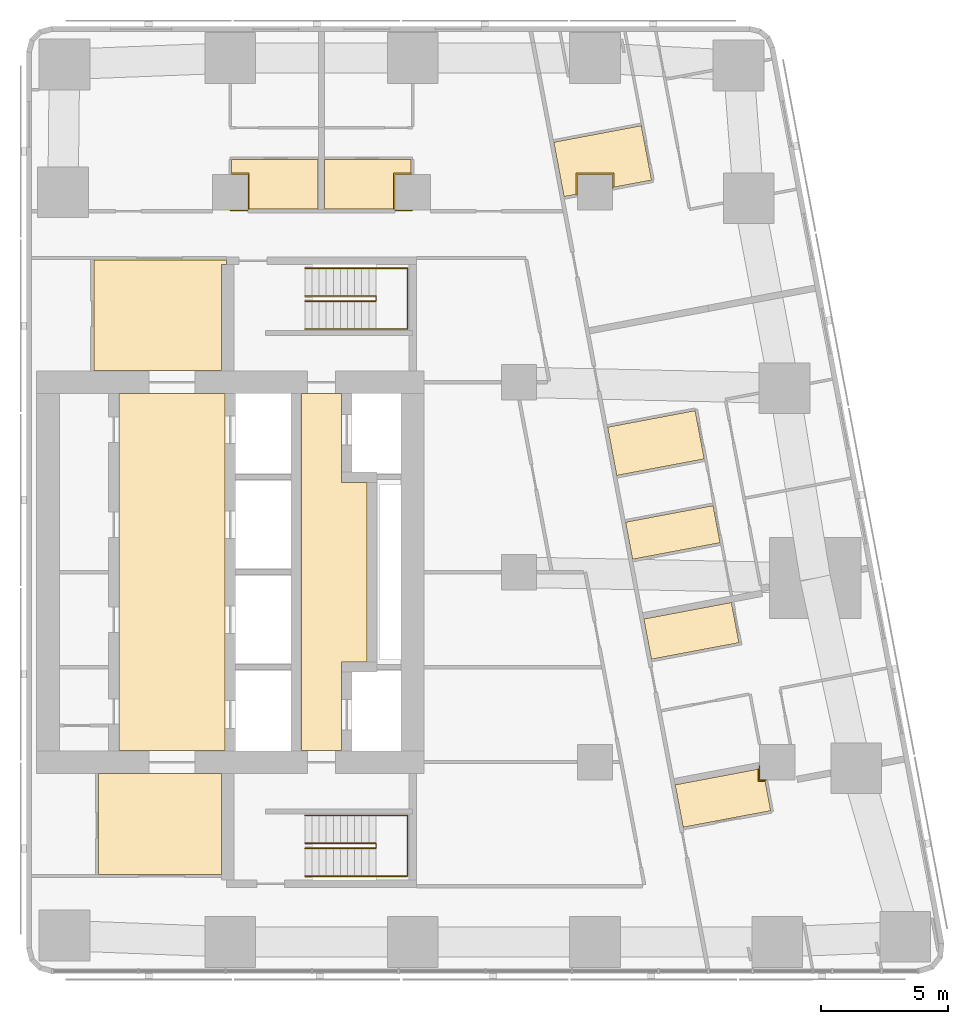
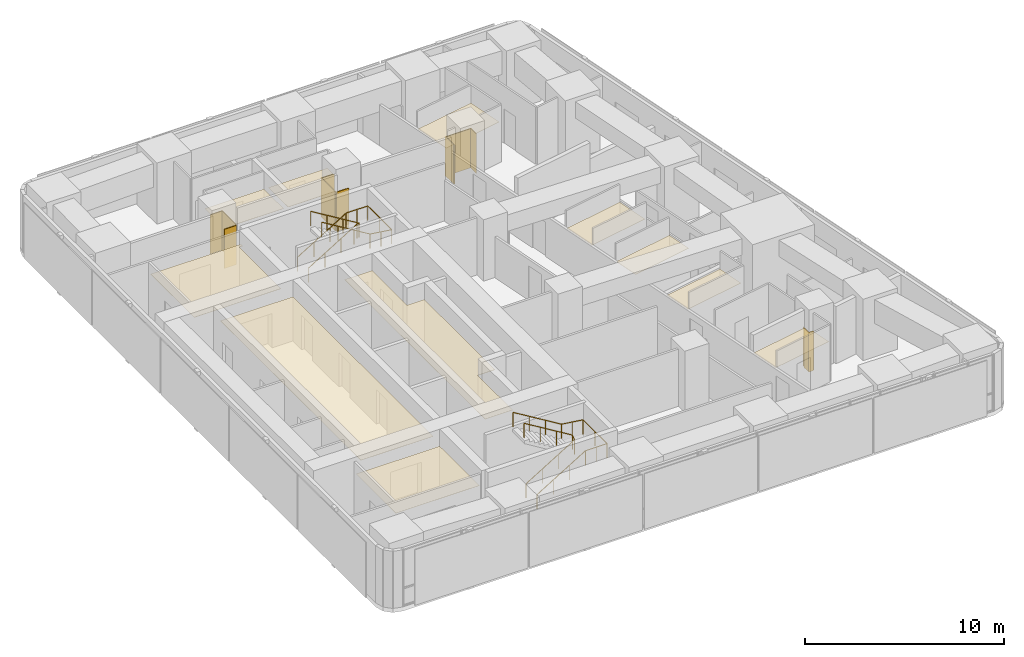
# One storey, part 11 of 11: 15 coverings, 4 railings.
"""IFC4 building model written with IfcOpenShell, lengths in metres."""

from ifc_helpers import new_model, si_unit, direction, frame, origin, origin_2d, place, context, subcontext, project, spatial, polyline, circle, outline, extrude, material, layer, layer_set, type_object, element, save


model = new_model("IFC4")

# Units and contexts
model_context = context("Model", 3, precision=1e-05, world=origin(), true_north=direction((0.0, 1.0)))
body_context = subcontext(model_context, "Body", "Model", "MODEL_VIEW")
ifc_project = project(units=[si_unit("LENGTHUNIT", "METRE"), si_unit("AREAUNIT", "SQUARE_METRE"), si_unit("VOLUMEUNIT", "CUBIC_METRE"), si_unit("PLANEANGLEUNIT", "RADIAN"), si_unit("MASSUNIT", "GRAM", prefix="KILO")], contexts=[model_context])

# Site, building, storey
site_placement = place(None, origin())
site = spatial("IfcSite", under=ifc_project, at=site_placement, CompositionType="ELEMENT")
building_placement = place(site_placement, origin())
building = spatial("IfcBuilding", under=site, at=building_placement, Name="Sheger Commons Tower", CompositionType="ELEMENT")
storey_placement = place(building_placement, frame((0.0, 0.0, 259.10009765625)))
storey = spatial("IfcBuildingStorey", under=building, at=storey_placement, Name="L66", CompositionType="ELEMENT", Elevation=259.10009765625)

# Railings
ifc_material_1 = material(Name="Steel handrail, black powder-coated", Category="steel")
railing_type = type_object("IfcRailingType", Name="HANDRAIL 900", PredefinedType="HANDRAIL", material=ifc_material_1)
railing_1_placement = place(storey_placement, frame((24.550048828125, 11.60009765625, 0.17041015625)))
element("IfcRailing", 1, at=railing_1_placement, inside=storey, type_object=railing_type, Name="Stair S1 handrail L66", PredefinedType="HANDRAIL", context=body_context, shape_type="SweptSolid", body=[
    extrude(circle(Radius=0.02392578125, at=origin_2d()), frame((0.0, 0.0, 0.8759765625), z_axis=(0.854169791009, 0.0, 0.51999420009), x_axis=(0.0, 1.0, 0.0)), (0.0, 0.0, 1.0), 3.278076171875),
    extrude(circle(Radius=0.02392578125, at=origin_2d()), frame((2.800048828125, 0.0, 2.58056640625), z_axis=(0.0, 0.761090297175, 0.648645943136), x_axis=(-1.0, 0.0, 0.0)), (0.0, 0.0, 1.0), 0.2626953125),
    extrude(circle(Radius=0.02392578125, at=origin_2d()), frame((2.800048828125, 0.199951171875, 2.7509765625), z_axis=(-0.854169791009, 0.0, 0.51999420009), x_axis=(0.0, -1.0, 0.0)), (0.0, 0.0, 1.0), 3.278076171875),
    extrude(circle(Radius=0.02099609375, at=origin_2d()), origin(), (0.0, 0.0, 1.0), 0.851806640625),
    extrude(circle(Radius=0.02099609375, at=origin_2d()), frame((0.933349609375, 0.0, 0.568115234375)), (0.0, 0.0, 1.0), 0.851806640625),
    extrude(circle(Radius=0.02099609375, at=origin_2d()), frame((1.86669921875, 0.0, 1.136474609375)), (0.0, 0.0, 1.0), 0.851806640625),
    extrude(circle(Radius=0.02099609375, at=origin_2d()), frame((2.800048828125, 0.0, 1.70458984375)), (0.0, 0.0, 1.0), 0.851806640625),
    extrude(circle(Radius=0.02099609375, at=origin_2d()), frame((2.800048828125, 0.199951171875, 1.875)), (0.0, 0.0, 1.0), 0.851806640625),
    extrude(circle(Radius=0.02099609375, at=origin_2d()), frame((1.86669921875, 0.199951171875, 2.443115234375)), (0.0, 0.0, 1.0), 0.851806640625),
    extrude(circle(Radius=0.02099609375, at=origin_2d()), frame((0.933349609375, 0.199951171875, 3.011474609375)), (0.0, 0.0, 1.0), 0.851806640625),
    extrude(circle(Radius=0.02099609375, at=origin_2d()), frame((0.0, 0.199951171875, 3.57958984375)), (0.0, 0.0, 1.0), 0.851806640625),
])
railing_2_placement = place(storey_placement, frame((24.550048828125, 10.5, 0.17041015625)))
element("IfcRailing", 2, at=railing_2_placement, inside=storey, type_object=railing_type, Name="Stair S1 handrail L66", PredefinedType="HANDRAIL", context=body_context, shape_type="SweptSolid", body=[
    extrude(circle(Radius=0.02392578125, at=origin_2d()), frame((0.0, 0.0, 0.8759765625), z_axis=(0.854169791009, 0.0, 0.51999420009), x_axis=(0.0, 1.0, 0.0)), (0.0, 0.0, 1.0), 3.278076171875),
    extrude(circle(Radius=0.02392578125, at=origin_2d()), frame((2.800048828125, 0.0, 2.58056640625), z_axis=(1.0, 0.0, 0.0), x_axis=(0.0, 1.0, 0.0)), (0.0, 0.0, 1.0), 1.25),
    extrude(circle(Radius=0.02392578125, at=origin_2d()), frame((4.050048828125, 0.0, 2.58056640625), z_axis=(0.0, 1.0, 0.0), x_axis=(-1.0, 0.0, 0.0)), (0.0, 0.0, 1.0), 2.39990234375),
    extrude(circle(Radius=0.02392578125, at=origin_2d()), frame((4.050048828125, 2.39990234375, 2.58056640625), z_axis=(-0.990834877927, 0.0, 0.135078661092), x_axis=(0.0, -1.0, 0.0)), (0.0, 0.0, 1.0), 1.261474609375),
    extrude(circle(Radius=0.02392578125, at=origin_2d()), frame((2.800048828125, 2.39990234375, 2.7509765625), z_axis=(-0.854169791009, 0.0, 0.51999420009), x_axis=(0.0, -1.0, 0.0)), (0.0, 0.0, 1.0), 3.278076171875),
    extrude(circle(Radius=0.02099609375, at=origin_2d()), origin(), (0.0, 0.0, 1.0), 0.851806640625),
    extrude(circle(Radius=0.02099609375, at=origin_2d()), frame((0.933349609375, 0.0, 0.568115234375)), (0.0, 0.0, 1.0), 0.851806640625),
    extrude(circle(Radius=0.02099609375, at=origin_2d()), frame((1.86669921875, 0.0, 1.136474609375)), (0.0, 0.0, 1.0), 0.851806640625),
    extrude(circle(Radius=0.02099609375, at=origin_2d()), frame((2.800048828125, 0.0, 1.70458984375)), (0.0, 0.0, 1.0), 0.851806640625),
    extrude(circle(Radius=0.02099609375, at=origin_2d()), frame((3.425048828125, 0.0, 1.70458984375)), (0.0, 0.0, 1.0), 0.851806640625),
    extrude(circle(Radius=0.02099609375, at=origin_2d()), frame((4.050048828125, 0.0, 1.70458984375)), (0.0, 0.0, 1.0), 0.851806640625),
    extrude(circle(Radius=0.02099609375, at=origin_2d()), frame((4.050048828125, 1.199951171875, 1.70458984375)), (0.0, 0.0, 1.0), 0.851806640625),
    extrude(circle(Radius=0.02099609375, at=origin_2d()), frame((4.050048828125, 2.39990234375, 1.70458984375)), (0.0, 0.0, 1.0), 0.851806640625),
    extrude(circle(Radius=0.02099609375, at=origin_2d()), frame((3.425048828125, 2.39990234375, 1.789794921875)), (0.0, 0.0, 1.0), 0.851806640625),
    extrude(circle(Radius=0.02099609375, at=origin_2d()), frame((2.800048828125, 2.39990234375, 1.875)), (0.0, 0.0, 1.0), 0.851806640625),
    extrude(circle(Radius=0.02099609375, at=origin_2d()), frame((1.86669921875, 2.39990234375, 2.443115234375)), (0.0, 0.0, 1.0), 0.851806640625),
    extrude(circle(Radius=0.02099609375, at=origin_2d()), frame((0.933349609375, 2.39990234375, 3.011474609375)), (0.0, 0.0, 1.0), 0.851806640625),
    extrude(circle(Radius=0.02099609375, at=origin_2d()), frame((0.0, 2.39990234375, 3.57958984375)), (0.0, 0.0, 1.0), 0.851806640625),
])
railing_3_placement = place(storey_placement, frame((24.550048828125, 33.39990234375, 0.17041015625)))
element("IfcRailing", 3, at=railing_3_placement, inside=storey, type_object=railing_type, Name="Stair S2 handrail L66", PredefinedType="HANDRAIL", context=body_context, shape_type="SweptSolid", body=[
    extrude(circle(Radius=0.02392578125, at=origin_2d()), frame((0.0, 0.0, 0.8759765625), z_axis=(0.854169791009, 0.0, 0.51999420009), x_axis=(0.0, 1.0, 0.0)), (0.0, 0.0, 1.0), 3.278076171875),
    extrude(circle(Radius=0.02392578125, at=origin_2d()), frame((2.800048828125, 0.0, 2.58056640625), z_axis=(0.0, -0.761090297175, 0.648645943136), x_axis=(1.0, 0.0, 0.0)), (0.0, 0.0, 1.0), 0.2626953125),
    extrude(circle(Radius=0.02392578125, at=origin_2d()), frame((2.800048828125, -0.199951171875, 2.7509765625), z_axis=(-0.854169791009, 0.0, 0.51999420009), x_axis=(0.0, -1.0, 0.0)), (0.0, 0.0, 1.0), 3.278076171875),
    extrude(circle(Radius=0.02099609375, at=origin_2d()), origin(), (0.0, 0.0, 1.0), 0.851806640625),
    extrude(circle(Radius=0.02099609375, at=origin_2d()), frame((0.933349609375, 0.0, 0.568115234375)), (0.0, 0.0, 1.0), 0.851806640625),
    extrude(circle(Radius=0.02099609375, at=origin_2d()), frame((1.86669921875, 0.0, 1.136474609375)), (0.0, 0.0, 1.0), 0.851806640625),
    extrude(circle(Radius=0.02099609375, at=origin_2d()), frame((2.800048828125, 0.0, 1.70458984375)), (0.0, 0.0, 1.0), 0.851806640625),
    extrude(circle(Radius=0.02099609375, at=origin_2d()), frame((2.800048828125, -0.199951171875, 1.875)), (0.0, 0.0, 1.0), 0.851806640625),
    extrude(circle(Radius=0.02099609375, at=origin_2d()), frame((1.86669921875, -0.199951171875, 2.443115234375)), (0.0, 0.0, 1.0), 0.851806640625),
    extrude(circle(Radius=0.02099609375, at=origin_2d()), frame((0.933349609375, -0.199951171875, 3.011474609375)), (0.0, 0.0, 1.0), 0.851806640625),
    extrude(circle(Radius=0.02099609375, at=origin_2d()), frame((0.0, -0.199951171875, 3.57958984375)), (0.0, 0.0, 1.0), 0.851806640625),
])
railing_4_placement = place(storey_placement, frame((24.550048828125, 34.5, 0.17041015625)))
element("IfcRailing", 4, at=railing_4_placement, inside=storey, type_object=railing_type, Name="Stair S2 handrail L66", PredefinedType="HANDRAIL", context=body_context, shape_type="SweptSolid", body=[
    extrude(circle(Radius=0.02392578125, at=origin_2d()), frame((0.0, 0.0, 0.8759765625), z_axis=(0.854169791009, 0.0, 0.51999420009), x_axis=(0.0, 1.0, 0.0)), (0.0, 0.0, 1.0), 3.278076171875),
    extrude(circle(Radius=0.02392578125, at=origin_2d()), frame((2.800048828125, 0.0, 2.58056640625), z_axis=(1.0, 0.0, 0.0), x_axis=(0.0, 1.0, 0.0)), (0.0, 0.0, 1.0), 1.25),
    extrude(circle(Radius=0.02392578125, at=origin_2d()), frame((4.050048828125, 0.0, 2.58056640625), z_axis=(0.0, -1.0, 0.0), x_axis=(1.0, 0.0, 0.0)), (0.0, 0.0, 1.0), 2.39990234375),
    extrude(circle(Radius=0.02392578125, at=origin_2d()), frame((4.050048828125, -2.39990234375, 2.58056640625), z_axis=(-0.990834877927, 0.0, 0.135078661092), x_axis=(0.0, -1.0, 0.0)), (0.0, 0.0, 1.0), 1.261474609375),
    extrude(circle(Radius=0.02392578125, at=origin_2d()), frame((2.800048828125, -2.39990234375, 2.7509765625), z_axis=(-0.854169791009, 0.0, 0.51999420009), x_axis=(0.0, -1.0, 0.0)), (0.0, 0.0, 1.0), 3.278076171875),
    extrude(circle(Radius=0.02099609375, at=origin_2d()), origin(), (0.0, 0.0, 1.0), 0.851806640625),
    extrude(circle(Radius=0.02099609375, at=origin_2d()), frame((0.933349609375, 0.0, 0.568115234375)), (0.0, 0.0, 1.0), 0.851806640625),
    extrude(circle(Radius=0.02099609375, at=origin_2d()), frame((1.86669921875, 0.0, 1.136474609375)), (0.0, 0.0, 1.0), 0.851806640625),
    extrude(circle(Radius=0.02099609375, at=origin_2d()), frame((2.800048828125, 0.0, 1.70458984375)), (0.0, 0.0, 1.0), 0.851806640625),
    extrude(circle(Radius=0.02099609375, at=origin_2d()), frame((3.425048828125, 0.0, 1.70458984375)), (0.0, 0.0, 1.0), 0.851806640625),
    extrude(circle(Radius=0.02099609375, at=origin_2d()), frame((4.050048828125, 0.0, 1.70458984375)), (0.0, 0.0, 1.0), 0.851806640625),
    extrude(circle(Radius=0.02099609375, at=origin_2d()), frame((4.050048828125, -1.199951171875, 1.70458984375)), (0.0, 0.0, 1.0), 0.851806640625),
    extrude(circle(Radius=0.02099609375, at=origin_2d()), frame((4.050048828125, -2.39990234375, 1.70458984375)), (0.0, 0.0, 1.0), 0.851806640625),
    extrude(circle(Radius=0.02099609375, at=origin_2d()), frame((3.425048828125, -2.39990234375, 1.789794921875)), (0.0, 0.0, 1.0), 0.851806640625),
    extrude(circle(Radius=0.02099609375, at=origin_2d()), frame((2.800048828125, -2.39990234375, 1.875)), (0.0, 0.0, 1.0), 0.851806640625),
    extrude(circle(Radius=0.02099609375, at=origin_2d()), frame((1.86669921875, -2.39990234375, 2.443115234375)), (0.0, 0.0, 1.0), 0.851806640625),
    extrude(circle(Radius=0.02099609375, at=origin_2d()), frame((0.933349609375, -2.39990234375, 3.011474609375)), (0.0, 0.0, 1.0), 0.851806640625),
    extrude(circle(Radius=0.02099609375, at=origin_2d()), frame((0.0, -2.39990234375, 3.57958984375)), (0.0, 0.0, 1.0), 0.851806640625),
])

# Coverings
ifc_material_2 = material(Name="Moisture-resistant gypsum plasterboard 15 mm on a suspended galvanised steel grid", Category="steel")
ifc_layer_1 = layer(ifc_material_2, 0.014892578125)
ifc_layer_set_1 = layer_set([ifc_layer_1], Name="MOISTURE-RESISTANT CEILING 15")
covering_type_1 = type_object("IfcCoveringType", Name="MOISTURE-RESISTANT CEILING 15", PredefinedType="CEILING", material=ifc_layer_set_1)
covering_1_placement = place(storey_placement, frame((0.0, 0.0, 2.39990234375)))
element("IfcCovering", 5, at=covering_1_placement, inside=storey, type_object=covering_type_1, Name="L66-01.B1 ceiling", PredefinedType="CEILING", context=body_context, shape_type="SweptSolid", body=[
    extrude(outline(polyline([(34.780029296875, 37.325927734375), (35.284912109375, 37.4208984375), (35.29296875, 37.3779296875), (35.294921875, 37.3779296875), (35.294921875, 38.205078125), (36.705078125, 38.205078125), (36.705078125, 37.68994140625), (38.23388671875, 37.97900390625), (37.827880859375, 40.126953125), (34.3740234375, 39.47509765625), (34.780029296875, 37.325927734375)])), origin(), (0.0, 0.0, 1.0), 0.014892578125),
])
covering_2_placement = place(storey_placement, frame((0.0, 0.0, 2.39990234375)))
element("IfcCovering", 6, at=covering_2_placement, inside=storey, type_object=covering_type_1, Name="L66-02.B1 ceiling", PredefinedType="CEILING", context=body_context, shape_type="SweptSolid", body=[
    extrude(outline(polyline([(36.85888671875, 26.319091796875), (40.31298828125, 26.970947265625), (39.952880859375, 28.8779296875), (36.4990234375, 28.22509765625), (36.85888671875, 26.319091796875)])), origin(), (0.0, 0.0, 1.0), 0.014892578125),
])
covering_3_placement = place(storey_placement, frame((0.0, 0.0, 2.39990234375)))
element("IfcCovering", 7, at=covering_3_placement, inside=storey, type_object=covering_type_1, Name="L66-02.B2 ceiling", PredefinedType="CEILING", context=body_context, shape_type="SweptSolid", body=[
    extrude(outline(polyline([(37.48388671875, 23.010986328125), (40.93896484375, 23.6630859375), (40.662109375, 25.1279296875), (37.2080078125, 24.47509765625), (37.48388671875, 23.010986328125)])), origin(), (0.0, 0.0, 1.0), 0.014892578125),
])
covering_4_placement = place(storey_placement, frame((0.0, 0.0, 2.39990234375)))
element("IfcCovering", 8, at=covering_4_placement, inside=storey, type_object=covering_type_1, Name="L66-03.B1 ceiling", PredefinedType="CEILING", context=body_context, shape_type="SweptSolid", body=[
    extrude(outline(polyline([(38.22900390625, 19.06494140625), (41.68408203125, 19.716064453125), (41.384033203125, 21.303955078125), (37.929931640625, 20.652099609375), (38.22900390625, 19.06494140625)])), origin(), (0.0, 0.0, 1.0), 0.014892578125),
])
covering_5_placement = place(storey_placement, frame((0.0, 0.0, 2.39990234375)))
element("IfcCovering", 9, at=covering_5_placement, inside=storey, type_object=covering_type_1, Name="L66-04.B1 ceiling", PredefinedType="CEILING", context=body_context, shape_type="SweptSolid", body=[
    extrude(outline(polyline([(39.48291015625, 12.429931640625), (42.93701171875, 13.0830078125), (42.7099609375, 14.284912109375), (42.7529296875, 14.29296875), (42.7529296875, 14.294921875), (42.4951171875, 14.294921875), (42.4951171875, 14.73388671875), (39.166015625, 14.10498046875), (39.48291015625, 12.429931640625)])), origin(), (0.0, 0.0, 1.0), 0.014892578125),
])
covering_6_placement = place(storey_placement, frame((0.0, 0.0, 2.39990234375)))
element("IfcCovering", 10, at=covering_6_placement, inside=storey, type_object=covering_type_1, Name="L66-05.B1 ceiling", PredefinedType="CEILING", context=body_context, shape_type="SweptSolid", body=[
    extrude(outline(polyline([(22.304931640625, 36.830078125), (25.070068359375, 36.830078125), (25.070068359375, 38.794921875), (21.655029296875, 38.794921875), (21.655029296875, 38.205078125), (22.304931640625, 38.205078125), (22.304931640625, 36.830078125)])), origin(), (0.0, 0.0, 1.0), 0.014892578125),
])
covering_7_placement = place(storey_placement, frame((0.0, 0.0, 2.39990234375)))
element("IfcCovering", 11, at=covering_7_placement, inside=storey, type_object=covering_type_1, Name="L66-06.B1 ceiling", PredefinedType="CEILING", context=body_context, shape_type="SweptSolid", body=[
    extrude(outline(polyline([(25.330078125, 36.830078125), (28.094970703125, 36.830078125), (28.094970703125, 38.205078125), (28.7451171875, 38.205078125), (28.7451171875, 38.794921875), (25.330078125, 38.794921875), (25.330078125, 36.830078125)])), origin(), (0.0, 0.0, 1.0), 0.014892578125),
])
ifc_material_3 = material(Name="Gypsum plasterboard 15 mm on a suspended steel grid", Category="steel")
ifc_layer_2 = layer(ifc_material_3, 0.014892578125)
ifc_layer_set_2 = layer_set([ifc_layer_2], Name="SUSPENDED CEILING 15")
covering_type_2 = type_object("IfcCoveringType", Name="SUSPENDED CEILING 15", PredefinedType="CEILING", material=ifc_layer_set_2)
covering_8_placement = place(storey_placement, frame((0.0, 0.0, 2.699951171875)))
element("IfcCovering", 12, at=covering_8_placement, inside=storey, type_object=covering_type_2, Name="L66-SVS1 ceiling", PredefinedType="CEILING", context=body_context, shape_type="SweptSolid", body=[
    extrude(outline(polyline([(16.406982421875, 10.568115234375), (21.2451171875, 10.568115234375), (21.2451171875, 14.544921875), (16.406982421875, 14.544921875), (16.406982421875, 10.568115234375)])), origin(), (0.0, 0.0, 1.0), 0.014892578125),
])
covering_9_placement = place(storey_placement, frame((0.0, 0.0, 2.699951171875)))
element("IfcCovering", 13, at=covering_9_placement, inside=storey, type_object=covering_type_2, Name="L66-SVN1 ceiling", PredefinedType="CEILING", context=body_context, shape_type="SweptSolid", body=[
    extrude(outline(polyline([(16.217041015625, 30.455078125), (21.2451171875, 30.455078125), (21.2451171875, 34.655029296875), (21.445068359375, 34.655029296875), (21.445068359375, 34.83203125), (16.217041015625, 34.83203125), (16.217041015625, 30.455078125)])), origin(), (0.0, 0.0, 1.0), 0.014892578125),
])
covering_10_placement = place(storey_placement, frame((0.0, 0.0, 2.699951171875)))
element("IfcCovering", 14, at=covering_10_placement, inside=storey, type_object=covering_type_2, Name="L66-LL ceiling", PredefinedType="CEILING", context=body_context, shape_type="SweptSolid", body=[
    extrude(outline(polyline([(17.205078125, 15.455078125), (21.39990234375, 15.455078125), (21.39990234375, 29.544921875), (17.205078125, 29.544921875), (17.205078125, 15.455078125)])), origin(), (0.0, 0.0, 1.0), 0.014892578125),
])
covering_11_placement = place(storey_placement, frame((0.0, 0.0, 2.699951171875)))
element("IfcCovering", 15, at=covering_11_placement, inside=storey, type_object=covering_type_2, Name="L66-FL ceiling", PredefinedType="CEILING", context=body_context, shape_type="SweptSolid", body=[
    extrude(outline(polyline([(24.405029296875, 15.455078125), (25.9951171875, 15.455078125), (25.9951171875, 18.955078125), (26.9951171875, 18.955078125), (26.9951171875, 26.044921875), (25.9951171875, 26.044921875), (25.9951171875, 29.544921875), (24.405029296875, 29.544921875), (24.405029296875, 15.455078125)])), origin(), (0.0, 0.0, 1.0), 0.014892578125),
])
ifc_material_4 = material(Name="Moisture-resistant gypsum board 12.5 mm on 25 mm treated timber battens, tanked and tiled", Category="wood")
ifc_layer_3 = layer(ifc_material_4, 0.050048828125)
ifc_layer_set_3 = layer_set([ifc_layer_3], Name="WET-ROOM COLUMN LINING")
covering_type_3 = type_object("IfcCoveringType", Name="WET-ROOM COLUMN LINING", PredefinedType="CLADDING", material=ifc_layer_set_3)
covering_12_placement = place(storey_placement, origin())
element("IfcCovering", 16, at=covering_12_placement, inside=storey, type_object=covering_type_3, Name="Shower room column lining C11 L66", PredefinedType="CLADDING", context=body_context, shape_type="SweptSolid", body=[
    extrude(outline(polyline([(42.5, 14.866943359375), (42.5, 14.300048828125), (42.762939453125, 14.300048828125), (42.764892578125, 14.2900390625), (42.716064453125, 14.281005859375), (42.721923828125, 14.25), (42.449951171875, 14.25), (42.449951171875, 14.73095703125), (42.4990234375, 14.739990234375), (42.47607421875, 14.862060546875), (42.5, 14.866943359375)])), origin(), (0.0, 0.0, 1.0), 2.39990234375),
])
covering_13_placement = place(storey_placement, origin())
element("IfcCovering", 17, at=covering_13_placement, inside=storey, type_object=covering_type_3, Name="Bathroom column lining C11 L66", PredefinedType="CLADDING", context=body_context, shape_type="SweptSolid", body=[
    extrude(outline(polyline([(22.35009765625, 36.824951171875), (22.301025390625, 36.824951171875), (22.301025390625, 36.75), (21.60009765625, 36.75), (21.60009765625, 36.800048828125), (22.300048828125, 36.800048828125), (22.300048828125, 38.199951171875), (21.60009765625, 38.199951171875), (21.60009765625, 38.200927734375), (21.64990234375, 38.200927734375), (21.64990234375, 38.25), (22.35009765625, 38.25), (22.35009765625, 36.824951171875)])), origin(), (0.0, 0.0, 1.0), 2.39990234375),
])
covering_14_placement = place(storey_placement, origin())
element("IfcCovering", 18, at=covering_14_placement, inside=storey, type_object=covering_type_3, Name="Bathroom column lining C11 L66", PredefinedType="CLADDING", context=body_context, shape_type="SweptSolid", body=[
    extrude(outline(polyline([(28.75, 38.25), (28.75, 38.200927734375), (28.800048828125, 38.200927734375), (28.800048828125, 38.199951171875), (28.10009765625, 38.199951171875), (28.10009765625, 36.800048828125), (28.800048828125, 36.800048828125), (28.800048828125, 36.75), (28.09912109375, 36.75), (28.09912109375, 36.824951171875), (28.050048828125, 36.824951171875), (28.050048828125, 38.25), (28.75, 38.25)])), origin(), (0.0, 0.0, 1.0), 2.39990234375),
])
covering_15_placement = place(storey_placement, origin())
element("IfcCovering", 19, at=covering_15_placement, inside=storey, type_object=covering_type_3, Name="Bathroom column lining C11 L66", PredefinedType="CLADDING", context=body_context, shape_type="SweptSolid", body=[
    extrude(outline(polyline([(36.75, 38.25), (36.75, 37.693115234375), (36.700927734375, 37.68408203125), (36.7099609375, 37.635009765625), (36.699951171875, 37.633056640625), (36.699951171875, 38.199951171875), (35.300048828125, 38.199951171875), (35.300048828125, 37.367919921875), (35.2900390625, 37.365966796875), (35.281005859375, 37.4150390625), (35.25, 37.408935546875), (35.25, 38.25), (36.75, 38.25)])), origin(), (0.0, 0.0, 1.0), 2.39990234375),
])

save(model, "model.ifc")
